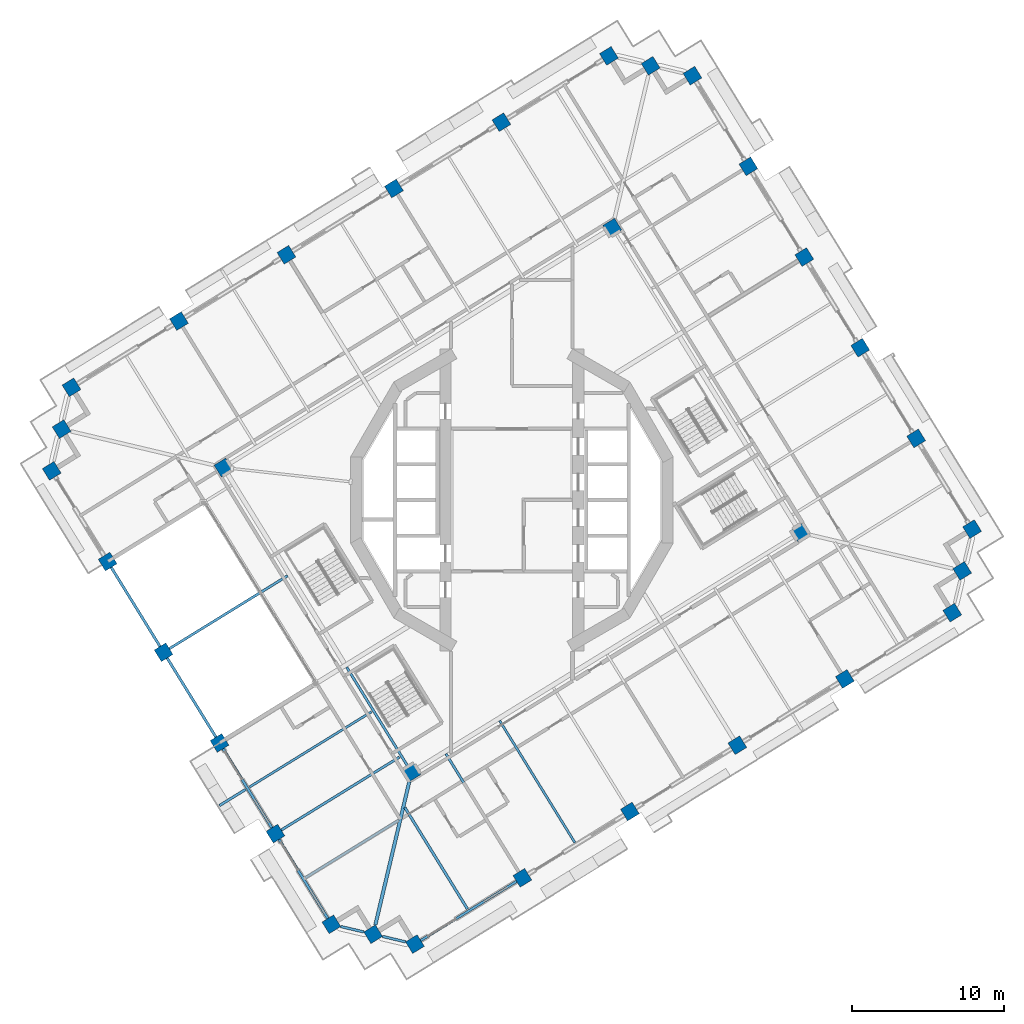
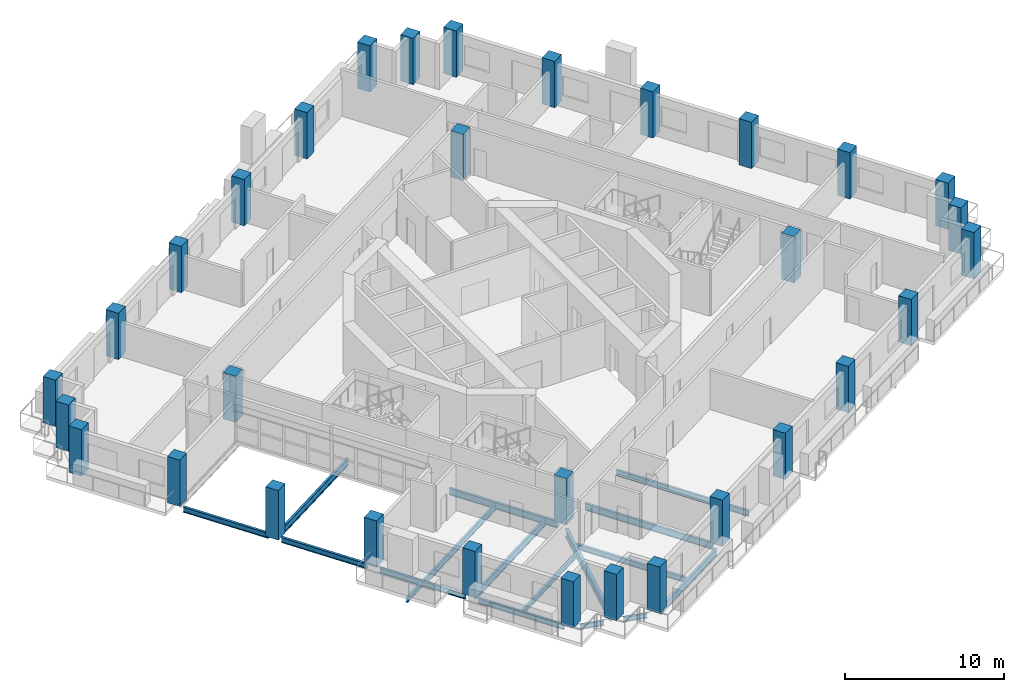
# One storey, part 1 of 20: 32 columns, 17 beams.
"""IFC4 building model written with IfcOpenShell, lengths in metres."""

from ifc_helpers import new_model, si_unit, direction, frame, origin, origin_2d, place, context, subcontext, project, spatial, rectangle, i_section, extrude, material, material_profile, profile_set, type_object, element, save


model = new_model("IFC4")

# Units and contexts
model_context = context("Model", 3, precision=1e-05, world=origin(), true_north=direction((0.0, 1.0)))
body_context = subcontext(model_context, "Body", "Model", "MODEL_VIEW")
ifc_project = project(units=[si_unit("LENGTHUNIT", "METRE"), si_unit("AREAUNIT", "SQUARE_METRE"), si_unit("VOLUMEUNIT", "CUBIC_METRE"), si_unit("PLANEANGLEUNIT", "RADIAN"), si_unit("MASSUNIT", "GRAM", prefix="KILO")], contexts=[model_context])

# Site, building, storey
site_placement = place(None, origin())
site = spatial("IfcSite", under=ifc_project, at=site_placement, CompositionType="ELEMENT")
building_placement = place(site_placement, origin())
building = spatial("IfcBuilding", under=site, at=building_placement, Name="Cantera Rosa Tower", CompositionType="ELEMENT")
storey_placement = place(building_placement, frame((0.0, 0.0, 151.39990234375)))
storey = spatial("IfcBuildingStorey", under=building, at=storey_placement, Name="L32", CompositionType="ELEMENT", Elevation=151.39990234375)

# Columns
ifc_material_1 = material(Name="Concrete C60/75", Category="concrete")
ifc_material_profile_1 = material_profile(ifc_material_1, rectangle(XDim=0.89990234375, YDim=0.89990234375, at=origin_2d()), Name="RC COLUMN RC900X900 C60/75")
ifc_profile_set_1 = profile_set([ifc_material_profile_1], Name="Concrete C60/75")
column_type_1 = type_object("IfcColumnType", Name="RC COLUMN RC900X900 C60/75", PredefinedType="COLUMN", material=ifc_profile_set_1)
for number, where, z_axis, x_axis, name in (
    (1, (30.321044921875, -1.917724609375, 0.0), (0.0, 0.0, 1.0), (0.851116672434, 0.52497658034, 0.0), "C-Z3-01 L32"),
    (2, (26.6357421875, 4.05712890625, 0.0), (0.0, 0.0, 1.0), (0.851116672434, 0.52497658034, 0.0), "C-Z3-02 L32"),
    (3, (22.950439453125, 10.031982421875, 0.0), (0.0, 0.0, 1.0), (0.851116672434, 0.52497658034, 0.0), "C-Z3-03 L32"),
    (4, (19.26513671875, 16.0068359375, 0.0), (0.0, 0.0, 1.0), (0.851116672434, 0.52497658034, 0.0), "C-Z3-04 L32"),
    (5, (15.57958984375, 21.981689453125, 0.0), (0.0, 0.0, 1.0), (0.851116672434, 0.52497658034, 0.0), "C-Z3-05 L32"),
    (6, (11.894287109375, 27.95654296875, 0.0), (0.0, 0.0, 1.0), (0.851116672434, 0.52497658034, 0.0), "C-Z3-06 L32"),
    (7, (9.14208984375, 28.60888671875, 0.0), (0.0, 0.0, 1.0), (0.851116672434, 0.52497658034, 0.0), "C-Z3-07 L32"),
    (8, (6.389892578125, 29.260986328125, 0.0), (0.0, 0.0, 1.0), (0.851116672434, 0.52497658034, 0.0), "C-Z3-08 L32"),
    (9, (-0.69140625, 24.893310546875, 0.0), (0.0, 0.0, 1.0), (0.851116672434, 0.52497658034, 0.0), "C-Z3-09 L32"),
    (10, (-7.772705078125, 20.525390625, 0.0), (0.0, 0.0, 1.0), (0.851116672434, 0.52497658034, 0.0), "C-Z3-10 L32"),
    (11, (-14.85400390625, 16.15771484375, 0.0), (0.0, 0.0, 1.0), (0.851116672434, 0.52497658034, 0.0), "C-Z3-11 L32"),
    (12, (-21.935302734375, 11.789794921875, 0.0), (0.0, 0.0, 1.0), (0.851116672434, 0.52497658034, 0.0), "C-Z3-12 L32"),
    (13, (-29.016357421875, 7.422119140625, 0.0), (0.0, 0.0, 1.0), (0.851116672434, 0.52497658034, 0.0), "C-Z3-13 L32"),
    (14, (-29.668701171875, 4.669921875, 0.0), (0.0, 0.0, 1.0), (0.851116672434, 0.52497658034, 0.0), "C-Z3-14 L32"),
    (15, (-30.321044921875, 1.917724609375, 0.0), (0.0, 0.0, 1.0), (0.851116672434, 0.52497658034, 0.0), "C-Z3-15 L32"),
    (16, (-26.6357421875, -4.05712890625, 0.0), (0.0, 0.0, 1.0), (0.851116672434, 0.52497658034, 0.0), "C-Z3-16 L32"),
):
    element("IfcColumn", number, at=place(storey_placement, frame(where, z_axis=z_axis, x_axis=x_axis)), inside=storey, type_object=column_type_1, Name=name, PredefinedType="COLUMN", context=body_context, shape_type="SweptSolid", body=[
        extrude(rectangle(XDim=0.89990234375, YDim=0.89990234375, at=origin_2d()), origin(), (0.0, 0.0, 1.0), 3.550048828125),
    ])
column_placement = place(storey_placement, frame((-22.950439453125, -10.031982421875, -0.25), z_axis=(0.0, 0.0, 1.0), x_axis=(0.851116672434, 0.52497658034, 0.0)))
element("IfcColumn", 17, at=column_placement, inside=storey, type_object=column_type_1, Name="C-Z3-17 L32", PredefinedType="COLUMN", context=body_context, shape_type="SweptSolid", body=[
    extrude(rectangle(XDim=0.89990234375, YDim=0.89990234375, at=origin_2d()), origin(), (0.0, 0.0, 1.0), 3.800048828125),
])
for number, where, z_axis, x_axis, name in (
    (18, (-19.26513671875, -16.0068359375, 0.0), (0.0, 0.0, 1.0), (0.851116672434, 0.52497658034, 0.0), "C-Z3-18 L32"),
    (19, (-15.57958984375, -21.981689453125, 0.0), (0.0, 0.0, 1.0), (0.851116672434, 0.52497658034, 0.0), "C-Z3-19 L32"),
    (20, (-11.894287109375, -27.95654296875, 0.0), (0.0, 0.0, 1.0), (0.851116672434, 0.52497658034, 0.0), "C-Z3-20 L32"),
    (21, (-9.14208984375, -28.60888671875, 0.0), (0.0, 0.0, 1.0), (0.851116672434, 0.52497658034, 0.0), "C-Z3-21 L32"),
    (22, (-6.389892578125, -29.260986328125, 0.0), (0.0, 0.0, 1.0), (0.851116672434, 0.52497658034, 0.0), "C-Z3-22 L32"),
    (23, (0.69140625, -24.893310546875, 0.0), (0.0, 0.0, 1.0), (0.851116672434, 0.52497658034, 0.0), "C-Z3-23 L32"),
    (24, (7.772705078125, -20.525390625, 0.0), (0.0, 0.0, 1.0), (0.851116672434, 0.52497658034, 0.0), "C-Z3-24 L32"),
    (25, (14.85400390625, -16.15771484375, 0.0), (0.0, 0.0, 1.0), (0.851116672434, 0.52497658034, 0.0), "C-Z3-25 L32"),
    (26, (21.935302734375, -11.789794921875, 0.0), (0.0, 0.0, 1.0), (0.851116672434, 0.52497658034, 0.0), "C-Z3-26 L32"),
    (27, (29.016357421875, -7.422119140625, 0.0), (0.0, 0.0, 1.0), (0.851116672434, 0.52497658034, 0.0), "C-Z3-27 L32"),
    (28, (29.668701171875, -4.669921875, 0.0), (0.0, 0.0, 1.0), (0.851116672434, 0.52497658034, 0.0), "C-Z3-28 L32"),
):
    element("IfcColumn", number, at=place(storey_placement, frame(where, z_axis=z_axis, x_axis=x_axis)), inside=storey, type_object=column_type_1, Name=name, PredefinedType="COLUMN", context=body_context, shape_type="SweptSolid", body=[
        extrude(rectangle(XDim=0.89990234375, YDim=0.89990234375, at=origin_2d()), origin(), (0.0, 0.0, 1.0), 3.550048828125),
    ])
ifc_material_2 = material(Name="Concrete C60/75", Category="concrete")
ifc_material_profile_2 = material_profile(ifc_material_2, rectangle(XDim=0.89990234375, YDim=0.89990234375, at=origin_2d()), Name="RC RING COLUMN RC900X900 C60/75")
ifc_profile_set_2 = profile_set([ifc_material_profile_2], Name="Concrete C60/75")
column_type_2 = type_object("IfcColumnType", Name="RC RING COLUMN RC900X900 C60/75", PredefinedType="COLUMN", material=ifc_profile_set_2)
for number, where, z_axis, x_axis, name in (
    (29, (6.614501953125, 17.944091796875, 0.0), (0.0, 0.0, 1.0), (0.851116672434, 0.52497658034, 0.0), "CI-Z3-1 L32"),
    (30, (-19.004150390625, 2.142333984375, 0.0), (0.0, 0.0, 1.0), (0.851116672434, 0.52497658034, 0.0), "CI-Z3-2 L32"),
    (31, (-6.614501953125, -17.944091796875, 0.0), (0.0, 0.0, 1.0), (0.851116672434, 0.52497658034, 0.0), "CI-Z3-3 L32"),
    (32, (19.004150390625, -2.142333984375, 0.0), (0.0, 0.0, 1.0), (0.851116672434, 0.52497658034, 0.0), "CI-Z3-4 L32"),
):
    element("IfcColumn", number, at=place(storey_placement, frame(where, z_axis=z_axis, x_axis=x_axis)), inside=storey, type_object=column_type_2, Name=name, PredefinedType="COLUMN", context=body_context, shape_type="SweptSolid", body=[
        extrude(rectangle(XDim=0.89990234375, YDim=0.89990234375, at=origin_2d()), origin(), (0.0, 0.0, 1.0), 3.550048828125),
    ])

# Beams
ifc_material_3 = material(Name="Steel ASTM A992 (Fy 345 MPa)", Category="steel")
ifc_material_profile_3 = material_profile(ifc_material_3, i_section(OverallWidth=0.166015625, OverallDepth=0.528076171875, WebThickness=0.009765625, FlangeThickness=0.013671875, FilletRadius=0.0126953125, at=origin_2d()), Name="W530X74")
ifc_profile_set_3 = profile_set([ifc_material_profile_3], Name="Steel ASTM A992 (Fy 345 MPa)")
beam_type_1 = type_object("IfcBeamType", Name="STEEL BEAM W530X74", PredefinedType="BEAM", material=ifc_profile_set_3)
beam_1_placement = place(storey_placement, frame((0.455078125, -24.51025390625, -0.513916015625), z_axis=(-0.524976979362, 0.851116426313, 0.0), x_axis=(-0.851116426313, -0.524976979362, 0.0)))
element("IfcBeam", 33, at=beam_1_placement, inside=storey, type_object=beam_type_1, Name="G-Z3-09 L32", PredefinedType="BEAM", context=body_context, shape_type="SweptSolid", body=[
    extrude(i_section(OverallWidth=0.166015625, OverallDepth=0.528076171875, WebThickness=0.009765625, FlangeThickness=0.013671875, FilletRadius=0.0126953125, at=origin_2d()), origin(), (0.0, 0.0, 1.0), 9.14990234375),
])
for number, where, z_axis, x_axis, name in (
    (34, (-22.5673828125, -9.795654296875, -0.513916015625), (0.851123779764, 0.524965057427, 0.0), (-0.524965057427, 0.851123779764, 0.0), "G-Z3-14 L32"),
    (35, (-15.19677734375, -21.745361328125, -0.513916015625), (0.851123779764, 0.524965057427, 0.0), (-0.524965057427, 0.851123779764, 0.0), "G-Z3-16 L32"),
):
    element("IfcBeam", number, at=place(storey_placement, frame(where, z_axis=z_axis, x_axis=x_axis)), inside=storey, type_object=beam_type_1, Name=name, PredefinedType="BEAM", context=body_context, shape_type="SweptSolid", body=[
        extrude(i_section(OverallWidth=0.166015625, OverallDepth=0.528076171875, WebThickness=0.009765625, FlangeThickness=0.013671875, FilletRadius=0.0126953125, at=origin_2d()), origin(), (0.0, 0.0, 1.0), 9.150146484375),
    ])
beam_2_placement = place(storey_placement, frame((-6.850830078125, -17.56103515625, -0.513916015625), z_axis=(-0.52497571981, 0.851117203216, 0.0), x_axis=(-0.851117203216, -0.52497571981, 0.0)))
element("IfcBeam", 36, at=beam_2_placement, inside=storey, type_object=beam_type_1, Name="RB-Z3-07 L32", PredefinedType="BEAM", context=body_context, shape_type="SweptSolid", body=[
    extrude(i_section(OverallWidth=0.166015625, OverallDepth=0.528076171875, WebThickness=0.009765625, FlangeThickness=0.013671875, FilletRadius=0.0126953125, at=origin_2d()), origin(), (0.0, 0.0, 1.0), 7.690185546875),
])
ifc_material_4 = material(Name="Steel ASTM A992 (Fy 345 MPa)", Category="steel")
ifc_material_profile_4 = material_profile(ifc_material_4, i_section(OverallWidth=0.22802734375, OverallDepth=0.60205078125, WebThickness=0.010498046875, FlangeThickness=0.014892578125, FilletRadius=0.0126953125, at=origin_2d()), Name="W610X101")
ifc_profile_set_4 = profile_set([ifc_material_profile_4], Name="Steel ASTM A992 (Fy 345 MPa)")
beam_type_2 = type_object("IfcBeamType", Name="STEEL BEAM W610X101", PredefinedType="BEAM", material=ifc_profile_set_4)
beam_3_placement = place(storey_placement, frame((-8.995361328125, -27.989501953125, -0.55078125), z_axis=(0.230622120091, 0.973043389436, 0.0), x_axis=(-0.973043389436, 0.230622120091, 0.0)))
element("IfcBeam", 37, at=beam_3_placement, inside=storey, type_object=beam_type_2, Name="CB-Z3-03 L32", PredefinedType="BEAM", context=body_context, shape_type="SweptSolid", body=[
    extrude(i_section(OverallWidth=0.22802734375, OverallDepth=0.60205078125, WebThickness=0.010498046875, FlangeThickness=0.014892578125, FilletRadius=0.0126953125, at=origin_2d()), origin(), (0.0, 0.0, 1.0), 9.6875),
])
ifc_material_5 = material(Name="Steel ASTM A992 (Fy 345 MPa)", Category="steel")
ifc_material_profile_5 = material_profile(ifc_material_5, i_section(OverallWidth=0.1708984375, OverallDepth=0.35595703125, WebThickness=0.00732421875, FlangeThickness=0.01171875, FilletRadius=0.010009765625, at=origin_2d()), Name="W360X51")
ifc_profile_set_5 = profile_set([ifc_material_profile_5], Name="Steel ASTM A992 (Fy 345 MPa)")
beam_type_3 = type_object("IfcBeamType", Name="STEEL JOIST W360X51", PredefinedType="JOIST", material=ifc_profile_set_5)
beam_4_placement = place(storey_placement, frame((-13.609375, -24.890380859375, -0.427978515625), z_axis=(0.851109089911, 0.524988873283, 0.0), x_axis=(-0.524988873283, 0.851109089911, 0.0)))
element("IfcBeam", 38, at=beam_4_placement, inside=storey, type_object=beam_type_3, Name="B-Z3-20 L32", PredefinedType="JOIST", context=body_context, shape_type="SweptSolid", body=[
    extrude(i_section(OverallWidth=0.1708984375, OverallDepth=0.35595703125, WebThickness=0.00732421875, FlangeThickness=0.01171875, FilletRadius=0.010009765625, at=origin_2d()), origin(), (0.0, 0.0, 1.0), 7.2099609375),
])
beam_5_placement = place(storey_placement, frame((-17.532958984375, -19.0625, -0.427978515625), z_axis=(-0.85112012236, -0.524970987116, 0.0), x_axis=(0.524970987116, -0.85112012236, 0.0)))
element("IfcBeam", 39, at=beam_5_placement, inside=storey, type_object=beam_type_3, Name="BS-Z3-01 L32", PredefinedType="JOIST", context=body_context, shape_type="SweptSolid", body=[
    extrude(i_section(OverallWidth=0.1708984375, OverallDepth=0.35595703125, WebThickness=0.00732421875, FlangeThickness=0.01171875, FilletRadius=0.010009765625, at=origin_2d()), origin(), (0.0, 0.0, 1.0), 2.0419921875),
])
ifc_material_6 = material(Name="Steel ASTM A992 (Fy 345 MPa)", Category="steel")
ifc_material_profile_6 = material_profile(ifc_material_6, i_section(OverallWidth=0.177978515625, OverallDepth=0.406005859375, WebThickness=0.0078125, FlangeThickness=0.0126953125, FilletRadius=0.01025390625, at=origin_2d()), Name="W410X60")
ifc_profile_set_6 = profile_set([ifc_material_profile_6], Name="Steel ASTM A992 (Fy 345 MPa)")
beam_type_4 = type_object("IfcBeamType", Name="STEEL JOIST W410X60", PredefinedType="JOIST", material=ifc_profile_set_6)
beam_6_placement = place(storey_placement, frame((-2.927978515625, -26.949462890625, -0.452880859375), z_axis=(-0.524994840515, 0.85110540912, 0.0), x_axis=(-0.85110540912, -0.524994840515, 0.0)))
element("IfcBeam", 40, at=beam_6_placement, inside=storey, type_object=beam_type_4, Name="B-Z3-11 L32", PredefinedType="JOIST", context=body_context, shape_type="SweptSolid", body=[
    extrude(i_section(OverallWidth=0.177978515625, OverallDepth=0.406005859375, WebThickness=0.0078125, FlangeThickness=0.0126953125, FilletRadius=0.01025390625, at=origin_2d()), origin(), (0.0, 0.0, 1.0), 7.860107421875),
])
ifc_material_7 = material(Name="Steel ASTM A992 (Fy 345 MPa)", Category="steel")
ifc_material_profile_7 = material_profile(ifc_material_7, i_section(OverallWidth=0.154052734375, OverallDepth=0.4599609375, WebThickness=0.009033203125, FlangeThickness=0.015380859375, FilletRadius=0.01025390625, at=origin_2d()), Name="W460X68")
ifc_profile_set_7 = profile_set([ifc_material_profile_7], Name="Steel ASTM A992 (Fy 345 MPa)")
beam_type_5 = type_object("IfcBeamType", Name="STEEL JOIST W460X68", PredefinedType="JOIST", material=ifc_profile_set_7)
beam_7_placement = place(storey_placement, frame((4.1533203125, -22.581787109375, -0.47998046875), z_axis=(-0.524980724235, 0.851114116427, 0.0), x_axis=(-0.851114116427, -0.524980724235, 0.0)))
element("IfcBeam", 41, at=beam_7_placement, inside=storey, type_object=beam_type_5, Name="B-Z3-12 L32", PredefinedType="JOIST", context=body_context, shape_type="SweptSolid", body=[
    extrude(i_section(OverallWidth=0.154052734375, OverallDepth=0.4599609375, WebThickness=0.009033203125, FlangeThickness=0.015380859375, FilletRadius=0.01025390625, at=origin_2d()), origin(), (0.0, 0.0, 1.0), 9.4501953125),
])
beam_8_placement = place(storey_placement, frame((-17.294677734375, -18.91552734375, -0.47998046875), z_axis=(0.851118539758, 0.524973552935, 0.0), x_axis=(-0.524973552935, 0.851118539758, 0.0)))
element("IfcBeam", 42, at=beam_8_placement, inside=storey, type_object=beam_type_5, Name="B-Z3-19 L32", PredefinedType="JOIST", context=body_context, shape_type="SweptSolid", body=[
    extrude(i_section(OverallWidth=0.154052734375, OverallDepth=0.4599609375, WebThickness=0.009033203125, FlangeThickness=0.015380859375, FilletRadius=0.01025390625, at=origin_2d()), origin(), (0.0, 0.0, 1.0), 9.449951171875),
])
ifc_material_8 = material(Name="Steel ASTM A992 (Fy 345 MPa)", Category="steel")
ifc_material_profile_8 = material_profile(ifc_material_8, i_section(OverallWidth=0.1708984375, OverallDepth=0.35595703125, WebThickness=0.00732421875, FlangeThickness=0.01171875, FilletRadius=0.010009765625, at=origin_2d()), Name="W360X51")
ifc_profile_set_8 = profile_set([ifc_material_profile_8], Name="Steel ASTM A992 (Fy 345 MPa)")
beam_type_6 = type_object("IfcBeamType", Name="STEEL SPANDREL BEAM W360X51", PredefinedType="SPANDREL", material=ifc_profile_set_8)
for number, where, z_axis, x_axis, name in (
    (43, (-11.275146484375, -28.103271484375, -0.427978515625), (0.973059906546, -0.230552419793, 0.0), (0.230552419793, 0.973059906546, 0.0), "EB-Z3-20 L32"),
    (44, (-8.52294921875, -28.755615234375, -0.427978515625), (0.973059906546, -0.230552419793, 0.0), (0.230552419793, 0.973059906546, 0.0), "EB-Z3-21 L32"),
):
    element("IfcBeam", number, at=place(storey_placement, frame(where, z_axis=z_axis, x_axis=x_axis)), inside=storey, type_object=beam_type_6, Name=name, PredefinedType="SPANDREL", context=body_context, shape_type="SweptSolid", body=[
        extrude(i_section(OverallWidth=0.1708984375, OverallDepth=0.35595703125, WebThickness=0.00732421875, FlangeThickness=0.01171875, FilletRadius=0.010009765625, at=origin_2d()), origin(), (0.0, 0.0, 1.0), 1.5556640625),
    ])
ifc_material_9 = material(Name="Steel ASTM A992 (Fy 345 MPa)", Category="steel")
ifc_material_profile_9 = material_profile(ifc_material_9, i_section(OverallWidth=0.177978515625, OverallDepth=0.406005859375, WebThickness=0.0078125, FlangeThickness=0.0126953125, FilletRadius=0.01025390625, at=origin_2d()), Name="W410X60")
ifc_profile_set_9 = profile_set([ifc_material_profile_9], Name="Steel ASTM A992 (Fy 345 MPa)")
beam_type_7 = type_object("IfcBeamType", Name="STEEL SPANDREL BEAM W410X60", PredefinedType="SPANDREL", material=ifc_profile_set_9)
for number, where, z_axis, x_axis, name in (
    (45, (-26.3994140625, -4.440185546875, -0.452880859375), (0.524987447654, -0.851109969279, 0.0), (0.851109969279, 0.524987447654, 0.0), "EB-Z3-16 L32"),
    (46, (-22.714111328125, -10.4150390625, -0.452880859375), (0.524987447654, -0.851109969279, 0.0), (0.851109969279, 0.524987447654, 0.0), "EB-Z3-17 L32"),
    (47, (-19.02880859375, -16.389892578125, -0.452880859375), (0.524987447654, -0.851109969279, 0.0), (0.851109969279, 0.524987447654, 0.0), "EB-Z3-18 L32"),
    (48, (-15.343505859375, -22.36474609375, -0.452880859375), (0.524987447654, -0.851109969279, 0.0), (0.851109969279, 0.524987447654, 0.0), "EB-Z3-19 L32"),
):
    element("IfcBeam", number, at=place(storey_placement, frame(where, z_axis=z_axis, x_axis=x_axis)), inside=storey, type_object=beam_type_7, Name=name, PredefinedType="SPANDREL", context=body_context, shape_type="SweptSolid", body=[
        extrude(i_section(OverallWidth=0.177978515625, OverallDepth=0.406005859375, WebThickness=0.0078125, FlangeThickness=0.0126953125, FilletRadius=0.01025390625, at=origin_2d()), origin(), (0.0, 0.0, 1.0), 6.119873046875),
    ])
ifc_material_10 = material(Name="Steel ASTM A992 (Fy 345 MPa)", Category="steel")
ifc_material_profile_10 = material_profile(ifc_material_10, i_section(OverallWidth=0.166015625, OverallDepth=0.528076171875, WebThickness=0.009765625, FlangeThickness=0.013671875, FilletRadius=0.0126953125, at=origin_2d()), Name="W530X74")
ifc_profile_set_10 = profile_set([ifc_material_profile_10], Name="Steel ASTM A992 (Fy 345 MPa)")
beam_type_8 = type_object("IfcBeamType", Name="STEEL SPANDREL BEAM W530X74", PredefinedType="SPANDREL", material=ifc_profile_set_10)
beam_9_placement = place(storey_placement, frame((-6.007080078125, -29.02490234375, -0.513916015625), z_axis=(0.851111085575, 0.524985637909, 0.0), x_axis=(-0.524985637909, 0.851111085575, 0.0)))
element("IfcBeam", 49, at=beam_9_placement, inside=storey, type_object=beam_type_8, Name="EB-Z3-22 L32", PredefinedType="SPANDREL", context=body_context, shape_type="SweptSolid", body=[
    extrude(i_section(OverallWidth=0.166015625, OverallDepth=0.528076171875, WebThickness=0.009765625, FlangeThickness=0.013671875, FilletRadius=0.0126953125, at=origin_2d()), origin(), (0.0, 0.0, 1.0), 7.420166015625),
])

save(model, "model.ifc")
